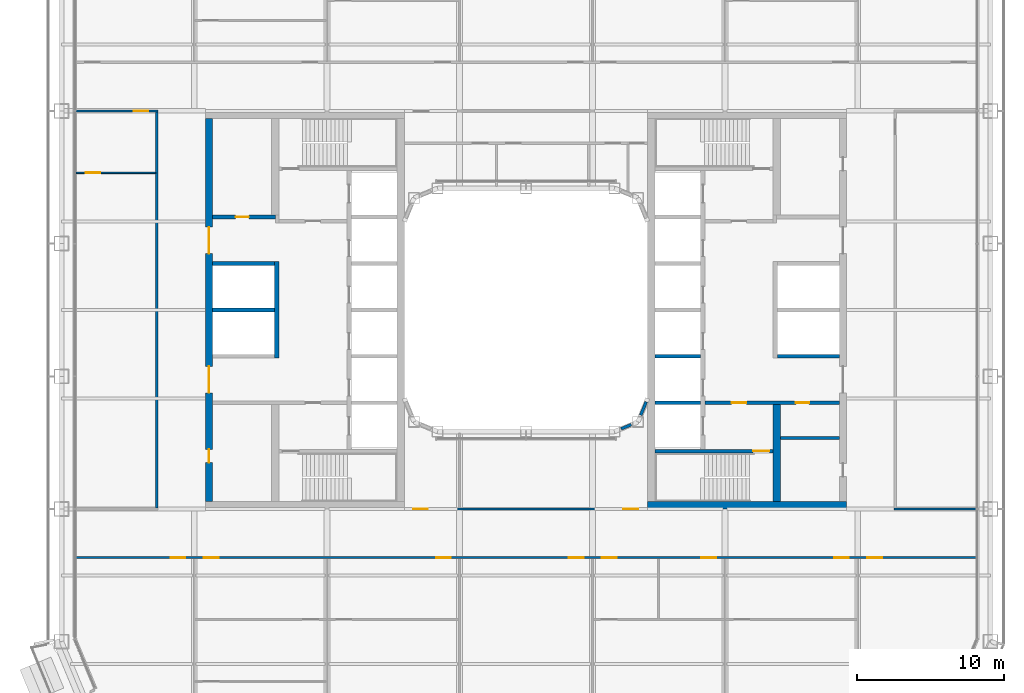
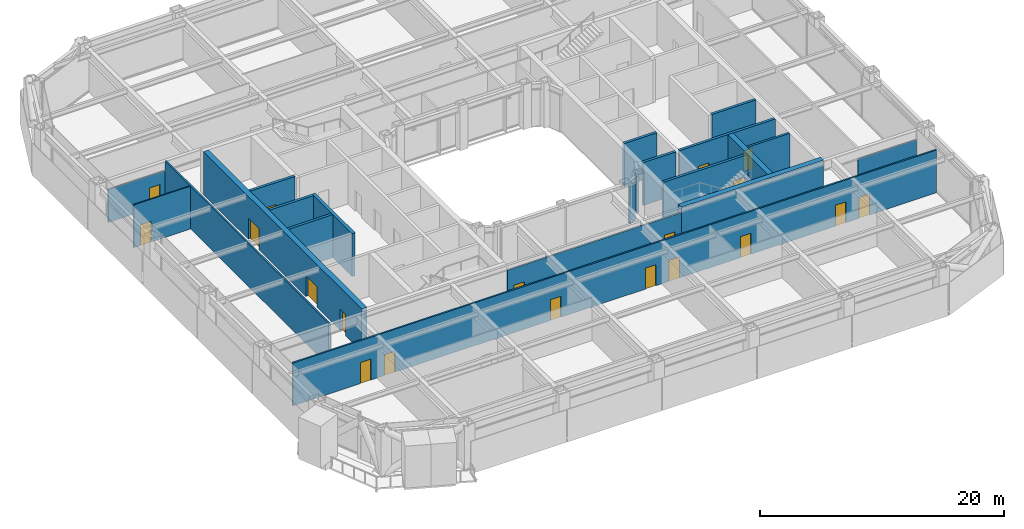
# One storey, part 14 of 27: 21 walls, 19 doors, 19 openings.
"""IFC4 building model written with IfcOpenShell, lengths in metres."""

from ifc_helpers import new_model, si_unit, direction, frame, frame_2d, origin, place, context, subcontext, project, spatial, rectangle, extrude, material, layer, layer_set, type_object, element, fill, save


model = new_model("IFC4")

# Units and contexts
model_context = context("Model", 3, precision=1e-05, world=origin(), true_north=direction((0.0, 1.0)))
body_context = subcontext(model_context, "Body", "Model", "MODEL_VIEW")
ifc_project = project(units=[si_unit("LENGTHUNIT", "METRE"), si_unit("AREAUNIT", "SQUARE_METRE"), si_unit("VOLUMEUNIT", "CUBIC_METRE"), si_unit("PLANEANGLEUNIT", "RADIAN"), si_unit("MASSUNIT", "GRAM", prefix="KILO")], contexts=[model_context])

# Site, building, storey
site_placement = place(None, origin())
site = spatial("IfcSite", under=ifc_project, at=site_placement, CompositionType="ELEMENT")
building_placement = place(site_placement, origin())
building = spatial("IfcBuilding", under=site, at=building_placement, Name="Siwar Civic Tower", CompositionType="ELEMENT")
storey_placement = place(building_placement, frame((0.0, 0.0, 89.699951171875)))
storey = spatial("IfcBuildingStorey", under=building, at=storey_placement, Name="L19", CompositionType="ELEMENT", Elevation=89.699951171875)

# Wall
ifc_material_1 = material(Name="Gypsum board on steel studs", Category="steel")
ifc_layer_1 = layer(ifc_material_1, 0.199951171875)
ifc_layer_set_1 = layer_set([ifc_layer_1], Name="Gypsum board on steel studs")
wall_type_1 = type_object("IfcWallType", Name="CORE-PARTITION-200", PredefinedType="PARTITIONING", material=ifc_layer_set_1)
wall_1_placement = place(storey_placement, frame((17.25, -8.699951171875, 0.0), z_axis=(0.0, 0.0, 1.0), x_axis=(1.0, 0.0, 0.0)))
element("IfcWall", 1, at=wall_1_placement, inside=storey, type_object=wall_type_1, Name="Core partition E", PredefinedType="PARTITIONING", context=body_context, shape_type="SweptSolid", body=[
    extrude(rectangle(XDim=4.0, YDim=0.199951171875, at=frame_2d((2.0, 0.0))), origin(), (0.0, 0.0, 1.0), 4.300048828125),
])

# Wall, opening, door
ifc_material_2 = material(Name="Concrete C60/75", Category="concrete")
ifc_layer_2 = layer(ifc_material_2, 0.25)
ifc_layer_set_2 = layer_set([ifc_layer_2], Name="Concrete C60/75")
wall_type_2 = type_object("IfcWallType", Name="CORE-WALL-RC250", PredefinedType="SHEAR", material=ifc_layer_set_2)
wall_2_placement = place(storey_placement, frame((-17.0, 6.300048828125, 0.0), z_axis=(0.0, 0.0, 1.0), x_axis=(-1.0, 0.0, 0.0)))
wall_2 = element("IfcWall", 2, at=wall_2_placement, inside=storey, type_object=wall_type_2, Name="Core wall W", PredefinedType="SHEAR", context=body_context, shape_type="SweptSolid", body=[
    extrude(rectangle(XDim=4.25, YDim=0.25, at=frame_2d((2.125, 0.0))), origin(), (0.0, 0.0, 1.0), 4.300048828125),
])
opening_1_placement = place(wall_2_placement, frame((1.800048828125, 0.0, 0.0)))
opening_1 = element("IfcOpeningElement", 3, at=opening_1_placement, cuts=wall_2, Name="Opening L19-CW13", PredefinedType="OPENING", context=body_context, shape_type="SweptSolid", body=[
    extrude(rectangle(XDim=0.89990234375, YDim=2.10009765625, at=frame_2d((0.449951171875, 1.050048828125))), frame((0.0, 0.135009765625, 0.0), z_axis=(0.0, -1.0, 0.0), x_axis=(1.0, 0.0, 0.0)), (0.0, 0.0, 1.0), 0.27001953125),
])
ifc_material_3 = material(Name="Steel door leaf", Category="steel")
door_type_1 = type_object("IfcDoorType", Name="CORE-DOOR-ROOM", OperationType="SINGLE_SWING_LEFT", PredefinedType="DOOR", material=ifc_material_3)
door_1_placement = place(opening_1_placement, origin())
door_1 = element("IfcDoor", 4, at=door_1_placement, inside=storey, type_object=door_type_1, Name="Core room door L19-CW13", OperationType="SINGLE_SWING_LEFT", OverallHeight=2.10009765625, OverallWidth=0.89990234375, PredefinedType="DOOR", context=body_context, shape_type="SweptSolid", body=[
    extrude(rectangle(XDim=0.89990234375, YDim=2.10009765625, at=frame_2d((0.449951171875, 1.050048828125))), frame((0.0, 0.02490234375, 0.0), z_axis=(0.0, -1.0, 0.0), x_axis=(1.0, 0.0, 0.0)), (0.0, 0.0, 1.0), 0.050048828125),
])
fill(opening_1, door_1)

# Walls
for number, where, z_axis, x_axis, name in (
    (5, (-17.050048828125, 0.0, 0.0), (0.0, 0.0, 1.0), (-1.0, 0.0, 0.0), "Core wall W"),
    (6, (-17.050048828125, 3.14990234375, 0.0), (0.0, 0.0, 1.0), (-1.0, 0.0, 0.0), "Core wall W"),
):
    element("IfcWall", number, at=place(storey_placement, frame(where, z_axis=z_axis, x_axis=x_axis)), inside=storey, type_object=wall_type_2, Name=name, PredefinedType="SHEAR", context=body_context, shape_type="SweptSolid", body=[
        extrude(rectangle(XDim=4.199951171875, YDim=0.25, at=frame_2d((2.10009765625, 0.0))), origin(), (0.0, 0.0, 1.0), 4.300048828125),
    ])

# Wall, openings, doors
wall_3_placement = place(storey_placement, frame((12.14990234375, -6.300048828125, 0.0), z_axis=(0.0, 0.0, 1.0), x_axis=(1.0, 0.0, 0.0)))
wall_3 = element("IfcWall", 7, at=wall_3_placement, inside=storey, type_object=wall_type_2, Name="Core wall E", PredefinedType="SHEAR", context=body_context, shape_type="SweptSolid", body=[
    extrude(rectangle(XDim=9.10009765625, YDim=0.25, at=frame_2d((4.550048828125, 0.0))), origin(), (0.0, 0.0, 1.0), 4.300048828125),
])
opening_2_placement = place(wall_3_placement, frame((1.800048828125, 0.0, 0.0)))
opening_2 = element("IfcOpeningElement", 8, at=opening_2_placement, cuts=wall_3, Name="Opening L19-CE02", PredefinedType="OPENING", context=body_context, shape_type="SweptSolid", body=[
    extrude(rectangle(XDim=1.0, YDim=2.10009765625, at=frame_2d((0.5, 1.050048828125))), frame((0.0, 0.135009765625, 0.0), z_axis=(0.0, -1.0, 0.0), x_axis=(1.0, 0.0, 0.0)), (0.0, 0.0, 1.0), 0.27001953125),
])
opening_3_placement = place(wall_3_placement, frame((6.14990234375, 0.0, 0.0)))
opening_3 = element("IfcOpeningElement", 9, at=opening_3_placement, cuts=wall_3, Name="Opening L19-CE14", PredefinedType="OPENING", context=body_context, shape_type="SweptSolid", body=[
    extrude(rectangle(XDim=0.89990234375, YDim=2.10009765625, at=frame_2d((0.449951171875, 1.050048828125))), frame((0.0, 0.135009765625, 0.0), z_axis=(0.0, -1.0, 0.0), x_axis=(1.0, 0.0, 0.0)), (0.0, 0.0, 1.0), 0.27001953125),
])
ifc_material_4 = material(Name="Steel door leaf", Category="steel")
door_type_2 = type_object("IfcDoorType", Name="CORE-DOOR-FD30S", OperationType="SINGLE_SWING_LEFT", PredefinedType="DOOR", material=ifc_material_4)
door_2_placement = place(opening_2_placement, origin())
door_2 = element("IfcDoor", 10, at=door_2_placement, inside=storey, type_object=door_type_2, Name="Service lobby door L19-CE02", OperationType="SINGLE_SWING_LEFT", OverallHeight=2.10009765625, OverallWidth=1.0, PredefinedType="DOOR", context=body_context, shape_type="SweptSolid", body=[
    extrude(rectangle(XDim=1.0, YDim=2.10009765625, at=frame_2d((0.5, 1.050048828125))), frame((0.0, 0.02490234375, 0.0), z_axis=(0.0, -1.0, 0.0), x_axis=(1.0, 0.0, 0.0)), (0.0, 0.0, 1.0), 0.050048828125),
])
fill(opening_2, door_2)
door_3_placement = place(opening_3_placement, origin())
door_3 = element("IfcDoor", 11, at=door_3_placement, inside=storey, type_object=door_type_1, Name="Core room door L19-CE14", OperationType="SINGLE_SWING_LEFT", OverallHeight=2.10009765625, OverallWidth=0.89990234375, PredefinedType="DOOR", context=body_context, shape_type="SweptSolid", body=[
    extrude(rectangle(XDim=0.89990234375, YDim=2.10009765625, at=frame_2d((0.449951171875, 1.050048828125))), frame((0.0, 0.02490234375, 0.0), z_axis=(0.0, -1.0, 0.0), x_axis=(1.0, 0.0, 0.0)), (0.0, 0.0, 1.0), 0.050048828125),
])
fill(opening_3, door_3)

# Walls
wall_4_placement = place(storey_placement, frame((17.050048828125, -3.14990234375, 0.0), z_axis=(0.0, 0.0, 1.0), x_axis=(1.0, 0.0, 0.0)))
element("IfcWall", 12, at=wall_4_placement, inside=storey, type_object=wall_type_2, Name="Core wall E", PredefinedType="SHEAR", context=body_context, shape_type="SweptSolid", body=[
    extrude(rectangle(XDim=4.199951171875, YDim=0.25, at=frame_2d((2.10009765625, 0.0))), origin(), (0.0, 0.0, 1.0), 4.300048828125),
])
for number, where, z_axis, x_axis, name in (
    (13, (8.75, -3.14990234375, 0.0), (0.0, 0.0, 1.0), (1.0, 0.0, 0.0), "Core wall E"),
    (14, (8.75, -6.300048828125, 0.0), (0.0, 0.0, 1.0), (1.0, 0.0, 0.0), "Core wall E"),
):
    element("IfcWall", number, at=place(storey_placement, frame(where, z_axis=z_axis, x_axis=x_axis)), inside=storey, type_object=wall_type_2, Name=name, PredefinedType="SHEAR", context=body_context, shape_type="SweptSolid", body=[
        extrude(rectangle(XDim=3.10009765625, YDim=0.25, at=frame_2d((1.550048828125, 0.0))), origin(), (0.0, 0.0, 1.0), 4.300048828125),
    ])

# Wall, opening, door
wall_5_placement = place(storey_placement, frame((8.75, -9.574951171875, 0.0), z_axis=(0.0, 0.0, 1.0), x_axis=(1.0, 0.0, 0.0)))
wall_5 = element("IfcWall", 15, at=wall_5_placement, inside=storey, type_object=wall_type_2, Name="Core wall E", PredefinedType="SHEAR", context=body_context, shape_type="SweptSolid", body=[
    extrude(rectangle(XDim=8.0, YDim=0.25, at=frame_2d((4.0, 0.0))), origin(), (0.0, 0.0, 1.0), 4.300048828125),
])
opening_4_placement = place(wall_5_placement, frame((6.64990234375, 0.0, 0.0)))
opening_4 = element("IfcOpeningElement", 16, at=opening_4_placement, cuts=wall_5, Name="Opening L19-CE04", PredefinedType="OPENING", context=body_context, shape_type="SweptSolid", body=[
    extrude(rectangle(XDim=1.10009765625, YDim=2.10009765625, at=frame_2d((0.550048828125, 1.050048828125))), frame((0.0, 0.135009765625, 0.0), z_axis=(0.0, -1.0, 0.0), x_axis=(1.0, 0.0, 0.0)), (0.0, 0.0, 1.0), 0.27001953125),
])
ifc_material_5 = material(Name="Steel door leaf", Category="steel")
door_type_3 = type_object("IfcDoorType", Name="CORE-DOOR-FD60S", OperationType="SINGLE_SWING_LEFT", PredefinedType="DOOR", material=ifc_material_5)
door_4_placement = place(opening_4_placement, origin())
door_4 = element("IfcDoor", 17, at=door_4_placement, inside=storey, type_object=door_type_3, Name="Stair door L19-CE04", OperationType="SINGLE_SWING_RIGHT", OverallHeight=2.10009765625, OverallWidth=1.10009765625, PredefinedType="DOOR", context=body_context, shape_type="SweptSolid", body=[
    extrude(rectangle(XDim=1.10009765625, YDim=2.10009765625, at=frame_2d((0.550048828125, 1.050048828125))), frame((0.0, 0.02490234375, 0.0), z_axis=(0.0, -1.0, 0.0), x_axis=(1.0, 0.0, 0.0)), (0.0, 0.0, 1.0), 0.050048828125),
])
fill(opening_4, door_4)

# Wall
ifc_material_6 = material(Name="Concrete C60/75", Category="concrete")
ifc_layer_3 = layer(ifc_material_6, 0.300048828125)
ifc_layer_set_3 = layer_set([ifc_layer_3], Name="Concrete C60/75")
wall_type_3 = type_object("IfcWallType", Name="CORE-WALL-RC300", PredefinedType="SHEAR", material=ifc_layer_set_3)
wall_6_placement = place(storey_placement, frame((-16.89990234375, -3.27490234375, 0.0), z_axis=(0.0, 0.0, 1.0), x_axis=(0.0, 1.0, 0.0)))
element("IfcWall", 18, at=wall_6_placement, inside=storey, type_object=wall_type_3, Name="Core wall W", PredefinedType="SHEAR", context=body_context, shape_type="SweptSolid", body=[
    extrude(rectangle(XDim=6.5498046875, YDim=0.300048828125, at=frame_2d((3.27490234375, 0.0))), origin(), (0.0, 0.0, 1.0), 4.300048828125),
])

# Wall, openings, doors
ifc_material_7 = material(Name="Concrete C60/75", Category="concrete")
ifc_layer_4 = layer(ifc_material_7, 0.5)
ifc_layer_set_4 = layer_set([ifc_layer_4], Name="Concrete C60/75")
wall_type_4 = type_object("IfcWallType", Name="CORE-WALL-RC500", PredefinedType="SHEAR", material=ifc_layer_set_4)
wall_7_placement = place(storey_placement, frame((-21.5, -13.0, 0.0), z_axis=(0.0, 0.0, 1.0), x_axis=(0.0, 1.0, 0.0)))
wall_7 = element("IfcWall", 19, at=wall_7_placement, inside=storey, type_object=wall_type_4, Name="Core wall W", PredefinedType="SHEAR", context=body_context, shape_type="SweptSolid", body=[
    extrude(rectangle(XDim=26.0, YDim=0.5, at=frame_2d((13.0, 0.0))), origin(), (0.0, 0.0, 1.0), 4.300048828125),
])
opening_5_placement = place(wall_7_placement, frame((16.824951171875, 0.0, 0.0)))
opening_5 = element("IfcOpeningElement", 20, at=opening_5_placement, cuts=wall_7, Name="Opening L19-CW05", PredefinedType="OPENING", context=body_context, shape_type="SweptSolid", body=[
    extrude(rectangle(XDim=1.800048828125, YDim=2.10009765625, at=frame_2d((0.89990234375, 1.050048828125))), frame((0.0, 0.260009765625, 0.0), z_axis=(0.0, -1.0, 0.0), x_axis=(1.0, 0.0, 0.0)), (0.0, 0.0, 1.0), 0.52001953125),
])
opening_6_placement = place(wall_7_placement, frame((7.375, 0.0, 0.0)))
opening_6 = element("IfcOpeningElement", 21, at=opening_6_placement, cuts=wall_7, Name="Opening L19-CW06", PredefinedType="OPENING", context=body_context, shape_type="SweptSolid", body=[
    extrude(rectangle(XDim=1.800048828125, YDim=2.10009765625, at=frame_2d((0.89990234375, 1.050048828125))), frame((0.0, 0.260009765625, 0.0), z_axis=(0.0, -1.0, 0.0), x_axis=(1.0, 0.0, 0.0)), (0.0, 0.0, 1.0), 0.52001953125),
])
opening_7_placement = place(wall_7_placement, frame((2.64990234375, 0.0, 0.0)))
opening_7 = element("IfcOpeningElement", 22, at=opening_7_placement, cuts=wall_7, Name="Opening L19-CW14", PredefinedType="OPENING", context=body_context, shape_type="SweptSolid", body=[
    extrude(rectangle(XDim=0.89990234375, YDim=2.10009765625, at=frame_2d((0.449951171875, 1.050048828125))), frame((0.0, 0.260009765625, 0.0), z_axis=(0.0, -1.0, 0.0), x_axis=(1.0, 0.0, 0.0)), (0.0, 0.0, 1.0), 0.52001953125),
])
ifc_material_8 = material(Name="Steel door leaf", Category="steel")
door_type_4 = type_object("IfcDoorType", Name="CORE-DOOR-PORT", OperationType="DOUBLE_DOOR_DOUBLE_SWING", PredefinedType="DOOR", material=ifc_material_8)
door_5_placement = place(opening_5_placement, origin())
door_5 = element("IfcDoor", 23, at=door_5_placement, inside=storey, type_object=door_type_4, Name="Core entrance door L19-CW05", OperationType="DOUBLE_DOOR_DOUBLE_SWING", OverallHeight=2.10009765625, OverallWidth=1.800048828125, PredefinedType="DOOR", context=body_context, shape_type="SweptSolid", body=[
    extrude(rectangle(XDim=1.800048828125, YDim=2.10009765625, at=frame_2d((0.89990234375, 1.050048828125))), frame((0.0, 0.02490234375, 0.0), z_axis=(0.0, -1.0, 0.0), x_axis=(1.0, 0.0, 0.0)), (0.0, 0.0, 1.0), 0.050048828125),
])
fill(opening_5, door_5)
door_6_placement = place(opening_6_placement, origin())
door_6 = element("IfcDoor", 24, at=door_6_placement, inside=storey, type_object=door_type_4, Name="Core entrance door L19-CW06", OperationType="DOUBLE_DOOR_DOUBLE_SWING", OverallHeight=2.10009765625, OverallWidth=1.800048828125, PredefinedType="DOOR", context=body_context, shape_type="SweptSolid", body=[
    extrude(rectangle(XDim=1.800048828125, YDim=2.10009765625, at=frame_2d((0.89990234375, 1.050048828125))), frame((0.0, 0.02490234375, 0.0), z_axis=(0.0, -1.0, 0.0), x_axis=(1.0, 0.0, 0.0)), (0.0, 0.0, 1.0), 0.050048828125),
])
fill(opening_6, door_6)
door_7_placement = place(opening_7_placement, origin())
door_7 = element("IfcDoor", 25, at=door_7_placement, inside=storey, type_object=door_type_1, Name="Core room door L19-CW14", OperationType="SINGLE_SWING_LEFT", OverallHeight=2.10009765625, OverallWidth=0.89990234375, PredefinedType="DOOR", context=body_context, shape_type="SweptSolid", body=[
    extrude(rectangle(XDim=0.89990234375, YDim=2.10009765625, at=frame_2d((0.449951171875, 1.050048828125))), frame((0.0, 0.02490234375, 0.0), z_axis=(0.0, -1.0, 0.0), x_axis=(1.0, 0.0, 0.0)), (0.0, 0.0, 1.0), 0.050048828125),
])
fill(opening_7, door_7)

# Walls
wall_8_placement = place(storey_placement, frame((17.0, -13.0, 0.0), z_axis=(0.0, 0.0, 1.0), x_axis=(0.0, 1.0, 0.0)))
element("IfcWall", 26, at=wall_8_placement, inside=storey, type_object=wall_type_4, Name="Core wall E", PredefinedType="SHEAR", context=body_context, shape_type="SweptSolid", body=[
    extrude(rectangle(XDim=6.574951171875, YDim=0.5, at=frame_2d((3.28759765625, 0.0))), origin(), (0.0, 0.0, 1.0), 4.300048828125),
])
wall_9_placement = place(storey_placement, frame((8.25, -13.25, 0.0), z_axis=(0.0, 0.0, 1.0), x_axis=(1.0, 0.0, 0.0)))
element("IfcWall", 27, at=wall_9_placement, inside=storey, type_object=wall_type_4, Name="Core wall E", PredefinedType="SHEAR", context=body_context, shape_type="SweptSolid", body=[
    extrude(rectangle(XDim=13.5, YDim=0.5, at=frame_2d((6.75, 0.0))), origin(), (0.0, 0.0, 1.0), 4.300048828125),
])

# Wall, openings, doors
ifc_material_9 = material(Name="Gypsum board on steel studs", Category="steel")
ifc_layer_5 = layer(ifc_material_9, 0.14990234375)
ifc_layer_set_5 = layer_set([ifc_layer_5], Name="Gypsum board on steel studs")
wall_type_5 = type_object("IfcWallType", Name="CORRIDOR PARTITION 150 EI 30", PredefinedType="PARTITIONING", material=ifc_layer_set_5)
wall_10_placement = place(storey_placement, frame((-30.510009765625, -16.800048828125, 0.0), z_axis=(0.0, 0.0, 1.0), x_axis=(1.0, 0.0, 0.0)))
wall_10 = element("IfcWall", 28, at=wall_10_placement, inside=storey, type_object=wall_type_5, Name="L19/wall/P04", PredefinedType="PARTITIONING", context=body_context, shape_type="SweptSolid", body=[
    extrude(rectangle(XDim=61.02001953125, YDim=0.14990234375, at=frame_2d((30.510009765625, 0.0))), origin(), (0.0, 0.0, 1.0), 4.300048828125),
])
opening_8_placement = place(wall_10_placement, frame((8.659912109375, 0.0, 0.0)))
opening_8 = element("IfcOpeningElement", 29, at=opening_8_placement, cuts=wall_10, Name="Opening D1", PredefinedType="OPENING", context=body_context, shape_type="SweptSolid", body=[
    extrude(rectangle(XDim=1.0, YDim=2.10009765625, at=frame_2d((0.5, 1.050048828125))), frame((0.0, 0.0849609375, 0.0), z_axis=(0.0, -1.0, 0.0), x_axis=(1.0, 0.0, 0.0)), (0.0, 0.0, 1.0), 0.169921875),
])
opening_9_placement = place(wall_10_placement, frame((24.409912109375, 0.0, 0.0)))
opening_9 = element("IfcOpeningElement", 30, at=opening_9_placement, cuts=wall_10, Name="Opening D1", PredefinedType="OPENING", context=body_context, shape_type="SweptSolid", body=[
    extrude(rectangle(XDim=1.0, YDim=2.10009765625, at=frame_2d((0.5, 1.050048828125))), frame((0.0, 0.0849609375, 0.0), z_axis=(0.0, -1.0, 0.0), x_axis=(1.0, 0.0, 0.0)), (0.0, 0.0, 1.0), 0.169921875),
])
opening_10_placement = place(wall_10_placement, frame((33.409912109375, 0.0, 0.0)))
opening_10 = element("IfcOpeningElement", 31, at=opening_10_placement, cuts=wall_10, Name="Opening D1", PredefinedType="OPENING", context=body_context, shape_type="SweptSolid", body=[
    extrude(rectangle(XDim=1.0, YDim=2.10009765625, at=frame_2d((0.5, 1.050048828125))), frame((0.0, 0.0849609375, 0.0), z_axis=(0.0, -1.0, 0.0), x_axis=(1.0, 0.0, 0.0)), (0.0, 0.0, 1.0), 0.169921875),
])
opening_11_placement = place(wall_10_placement, frame((35.659912109375, 0.0, 0.0)))
opening_11 = element("IfcOpeningElement", 32, at=opening_11_placement, cuts=wall_10, Name="Opening D1", PredefinedType="OPENING", context=body_context, shape_type="SweptSolid", body=[
    extrude(rectangle(XDim=1.0, YDim=2.10009765625, at=frame_2d((0.5, 1.050048828125))), frame((0.0, 0.0849609375, 0.0), z_axis=(0.0, -1.0, 0.0), x_axis=(1.0, 0.0, 0.0)), (0.0, 0.0, 1.0), 0.169921875),
])
opening_12_placement = place(wall_10_placement, frame((42.409912109375, 0.0, 0.0)))
opening_12 = element("IfcOpeningElement", 33, at=opening_12_placement, cuts=wall_10, Name="Opening D1", PredefinedType="OPENING", context=body_context, shape_type="SweptSolid", body=[
    extrude(rectangle(XDim=1.0, YDim=2.10009765625, at=frame_2d((0.5, 1.050048828125))), frame((0.0, 0.0849609375, 0.0), z_axis=(0.0, -1.0, 0.0), x_axis=(1.0, 0.0, 0.0)), (0.0, 0.0, 1.0), 0.169921875),
])
opening_13_placement = place(wall_10_placement, frame((51.409912109375, 0.0, 0.0)))
opening_13 = element("IfcOpeningElement", 34, at=opening_13_placement, cuts=wall_10, Name="Opening D1", PredefinedType="OPENING", context=body_context, shape_type="SweptSolid", body=[
    extrude(rectangle(XDim=1.0, YDim=2.10009765625, at=frame_2d((0.5, 1.050048828125))), frame((0.0, 0.0849609375, 0.0), z_axis=(0.0, -1.0, 0.0), x_axis=(1.0, 0.0, 0.0)), (0.0, 0.0, 1.0), 0.169921875),
])
opening_14_placement = place(wall_10_placement, frame((6.39990234375, 0.0, 0.0)))
opening_14 = element("IfcOpeningElement", 35, at=opening_14_placement, cuts=wall_10, Name="Opening D1", PredefinedType="OPENING", context=body_context, shape_type="SweptSolid", body=[
    extrude(rectangle(XDim=1.0, YDim=2.10009765625, at=frame_2d((0.5, 1.050048828125))), frame((0.0, 0.0849609375, 0.0), z_axis=(0.0, -1.0, 0.0), x_axis=(1.0, 0.0, 0.0)), (0.0, 0.0, 1.0), 0.169921875),
])
opening_15_placement = place(wall_10_placement, frame((53.659912109375, 0.0, 0.0)))
opening_15 = element("IfcOpeningElement", 36, at=opening_15_placement, cuts=wall_10, Name="Opening D1", PredefinedType="OPENING", context=body_context, shape_type="SweptSolid", body=[
    extrude(rectangle(XDim=1.0, YDim=2.10009765625, at=frame_2d((0.5, 1.050048828125))), frame((0.0, 0.0849609375, 0.0), z_axis=(0.0, -1.0, 0.0), x_axis=(1.0, 0.0, 0.0)), (0.0, 0.0, 1.0), 0.169921875),
])
ifc_material_10 = material(Name="Timber, painted", Category="wood")
door_type_5 = type_object("IfcDoorType", Name="DOOR 1000 X 2100 FD30", OperationType="SINGLE_SWING_LEFT", PredefinedType="DOOR", material=ifc_material_10)
door_8_placement = place(opening_8_placement, origin())
door_8 = element("IfcDoor", 37, at=door_8_placement, inside=storey, type_object=door_type_5, Name="L19-D09", OperationType="SINGLE_SWING_LEFT", OverallHeight=2.10009765625, OverallWidth=1.0, PredefinedType="DOOR", context=body_context, shape_type="SweptSolid", body=[
    extrude(rectangle(XDim=1.0, YDim=2.10009765625, at=frame_2d((0.5, 1.050048828125))), frame((0.0, 0.02490234375, 0.0), z_axis=(0.0, -1.0, 0.0), x_axis=(1.0, 0.0, 0.0)), (0.0, 0.0, 1.0), 0.050048828125),
])
fill(opening_8, door_8)
door_9_placement = place(opening_9_placement, origin())
door_9 = element("IfcDoor", 38, at=door_9_placement, inside=storey, type_object=door_type_5, Name="L19-D12", OperationType="SINGLE_SWING_RIGHT", OverallHeight=2.10009765625, OverallWidth=1.0, PredefinedType="DOOR", context=body_context, shape_type="SweptSolid", body=[
    extrude(rectangle(XDim=1.0, YDim=2.10009765625, at=frame_2d((0.5, 1.050048828125))), frame((0.0, 0.02490234375, 0.0), z_axis=(0.0, -1.0, 0.0), x_axis=(1.0, 0.0, 0.0)), (0.0, 0.0, 1.0), 0.050048828125),
])
fill(opening_9, door_9)
door_10_placement = place(opening_10_placement, origin())
door_10 = element("IfcDoor", 39, at=door_10_placement, inside=storey, type_object=door_type_5, Name="L19-D14", OperationType="SINGLE_SWING_RIGHT", OverallHeight=2.10009765625, OverallWidth=1.0, PredefinedType="DOOR", context=body_context, shape_type="SweptSolid", body=[
    extrude(rectangle(XDim=1.0, YDim=2.10009765625, at=frame_2d((0.5, 1.050048828125))), frame((0.0, 0.02490234375, 0.0), z_axis=(0.0, -1.0, 0.0), x_axis=(1.0, 0.0, 0.0)), (0.0, 0.0, 1.0), 0.050048828125),
])
fill(opening_10, door_10)
door_11_placement = place(opening_11_placement, origin())
door_11 = element("IfcDoor", 40, at=door_11_placement, inside=storey, type_object=door_type_5, Name="L19-D15", OperationType="SINGLE_SWING_LEFT", OverallHeight=2.10009765625, OverallWidth=1.0, PredefinedType="DOOR", context=body_context, shape_type="SweptSolid", body=[
    extrude(rectangle(XDim=1.0, YDim=2.10009765625, at=frame_2d((0.5, 1.050048828125))), frame((0.0, 0.02490234375, 0.0), z_axis=(0.0, -1.0, 0.0), x_axis=(1.0, 0.0, 0.0)), (0.0, 0.0, 1.0), 0.050048828125),
])
fill(opening_11, door_11)
door_12_placement = place(opening_12_placement, origin())
door_12 = element("IfcDoor", 41, at=door_12_placement, inside=storey, type_object=door_type_5, Name="L19-D16", OperationType="SINGLE_SWING_RIGHT", OverallHeight=2.10009765625, OverallWidth=1.0, PredefinedType="DOOR", context=body_context, shape_type="SweptSolid", body=[
    extrude(rectangle(XDim=1.0, YDim=2.10009765625, at=frame_2d((0.5, 1.050048828125))), frame((0.0, 0.02490234375, 0.0), z_axis=(0.0, -1.0, 0.0), x_axis=(1.0, 0.0, 0.0)), (0.0, 0.0, 1.0), 0.050048828125),
])
fill(opening_12, door_12)
door_13_placement = place(opening_13_placement, origin())
door_13 = element("IfcDoor", 42, at=door_13_placement, inside=storey, type_object=door_type_5, Name="L19-D18", OperationType="SINGLE_SWING_RIGHT", OverallHeight=2.10009765625, OverallWidth=1.0, PredefinedType="DOOR", context=body_context, shape_type="SweptSolid", body=[
    extrude(rectangle(XDim=1.0, YDim=2.10009765625, at=frame_2d((0.5, 1.050048828125))), frame((0.0, 0.02490234375, 0.0), z_axis=(0.0, -1.0, 0.0), x_axis=(1.0, 0.0, 0.0)), (0.0, 0.0, 1.0), 0.050048828125),
])
fill(opening_13, door_13)
door_14_placement = place(opening_14_placement, origin())
door_14 = element("IfcDoor", 43, at=door_14_placement, inside=storey, type_object=door_type_5, Name="L19-D22", OperationType="SINGLE_SWING_RIGHT", OverallHeight=2.10009765625, OverallWidth=1.0, PredefinedType="DOOR", context=body_context, shape_type="SweptSolid", body=[
    extrude(rectangle(XDim=1.0, YDim=2.10009765625, at=frame_2d((0.5, 1.050048828125))), frame((0.0, 0.02490234375, 0.0), z_axis=(0.0, -1.0, 0.0), x_axis=(1.0, 0.0, 0.0)), (0.0, 0.0, 1.0), 0.050048828125),
])
fill(opening_14, door_14)
door_15_placement = place(opening_15_placement, origin())
door_15 = element("IfcDoor", 44, at=door_15_placement, inside=storey, type_object=door_type_5, Name="L19-D23", OperationType="SINGLE_SWING_LEFT", OverallHeight=2.10009765625, OverallWidth=1.0, PredefinedType="DOOR", context=body_context, shape_type="SweptSolid", body=[
    extrude(rectangle(XDim=1.0, YDim=2.10009765625, at=frame_2d((0.5, 1.050048828125))), frame((0.0, 0.02490234375, 0.0), z_axis=(0.0, -1.0, 0.0), x_axis=(1.0, 0.0, 0.0)), (0.0, 0.0, 1.0), 0.050048828125),
])
fill(opening_15, door_15)

wall_11_placement = place(storey_placement, frame((-8.25, -13.5, 0.0), z_axis=(0.0, 0.0, 1.0), x_axis=(1.0, 0.0, 0.0)))
wall_11 = element("IfcWall", 45, at=wall_11_placement, inside=storey, type_object=wall_type_5, Name="L19/wall/P06", PredefinedType="PARTITIONING", context=body_context, shape_type="SweptSolid", body=[
    extrude(rectangle(XDim=16.5, YDim=0.14990234375, at=frame_2d((8.25, 0.0))), origin(), (0.0, 0.0, 1.0), 3.800048828125),
])
opening_16_placement = place(wall_11_placement, frame((0.60009765625, 0.0, 0.0)))
opening_16 = element("IfcOpeningElement", 46, at=opening_16_placement, cuts=wall_11, Name="Opening D1", PredefinedType="OPENING", context=body_context, shape_type="SweptSolid", body=[
    extrude(rectangle(XDim=1.0, YDim=2.10009765625, at=frame_2d((0.5, 1.050048828125))), frame((0.0, 0.0849609375, 0.0), z_axis=(0.0, -1.0, 0.0), x_axis=(1.0, 0.0, 0.0)), (0.0, 0.0, 1.0), 0.169921875),
])
opening_17_placement = place(wall_11_placement, frame((14.85009765625, 0.0, 0.0)))
opening_17 = element("IfcOpeningElement", 47, at=opening_17_placement, cuts=wall_11, Name="Opening D1", PredefinedType="OPENING", context=body_context, shape_type="SweptSolid", body=[
    extrude(rectangle(XDim=1.0, YDim=2.10009765625, at=frame_2d((0.5, 1.050048828125))), frame((0.0, 0.0849609375, 0.0), z_axis=(0.0, -1.0, 0.0), x_axis=(1.0, 0.0, 0.0)), (0.0, 0.0, 1.0), 0.169921875),
])
door_16_placement = place(opening_16_placement, origin())
door_16 = element("IfcDoor", 48, at=door_16_placement, inside=storey, type_object=door_type_5, Name="L19-D32", OperationType="SINGLE_SWING_RIGHT", OverallHeight=2.10009765625, OverallWidth=1.0, PredefinedType="DOOR", context=body_context, shape_type="SweptSolid", body=[
    extrude(rectangle(XDim=1.0, YDim=2.10009765625, at=frame_2d((0.5, 1.050048828125))), frame((0.0, 0.02490234375, 0.0), z_axis=(0.0, -1.0, 0.0), x_axis=(1.0, 0.0, 0.0)), (0.0, 0.0, 1.0), 0.050048828125),
])
fill(opening_16, door_16)
door_17_placement = place(opening_17_placement, origin())
door_17 = element("IfcDoor", 49, at=door_17_placement, inside=storey, type_object=door_type_5, Name="L19-D33", OperationType="SINGLE_SWING_LEFT", OverallHeight=2.10009765625, OverallWidth=1.0, PredefinedType="DOOR", context=body_context, shape_type="SweptSolid", body=[
    extrude(rectangle(XDim=1.0, YDim=2.10009765625, at=frame_2d((0.5, 1.050048828125))), frame((0.0, 0.02490234375, 0.0), z_axis=(0.0, -1.0, 0.0), x_axis=(1.0, 0.0, 0.0)), (0.0, 0.0, 1.0), 0.050048828125),
])
fill(opening_17, door_17)

# Wall
wall_12_placement = place(storey_placement, frame((24.97509765625, -13.5, 0.0), z_axis=(0.0, 0.0, 1.0), x_axis=(1.0, 0.0, 0.0)))
element("IfcWall", 50, at=wall_12_placement, inside=storey, type_object=wall_type_5, Name="L19/wall/P07", PredefinedType="PARTITIONING", context=body_context, shape_type="SweptSolid", body=[
    extrude(rectangle(XDim=5.534912109375, YDim=0.14990234375, at=frame_2d((2.767578125, 0.0))), origin(), (0.0, 0.0, 1.0), 3.300048828125),
])

# Wall, opening, door
wall_13_placement = place(storey_placement, frame((-30.510009765625, 13.5, 0.0), z_axis=(0.0, 0.0, 1.0), x_axis=(1.0, 0.0, 0.0)))
wall_13 = element("IfcWall", 51, at=wall_13_placement, inside=storey, type_object=wall_type_5, Name="L19/wall/P11", PredefinedType="PARTITIONING", context=body_context, shape_type="SweptSolid", body=[
    extrude(rectangle(XDim=5.534912109375, YDim=0.14990234375, at=frame_2d((2.767578125, 0.0))), origin(), (0.0, 0.0, 1.0), 3.300048828125),
])
opening_18_placement = place(wall_13_placement, frame((3.89990234375, 0.0, 0.0)))
opening_18 = element("IfcOpeningElement", 52, at=opening_18_placement, cuts=wall_13, Name="Opening D1", PredefinedType="OPENING", context=body_context, shape_type="SweptSolid", body=[
    extrude(rectangle(XDim=1.0, YDim=2.10009765625, at=frame_2d((0.5, 1.050048828125))), frame((0.0, 0.0849609375, 0.0), z_axis=(0.0, -1.0, 0.0), x_axis=(1.0, 0.0, 0.0)), (0.0, 0.0, 1.0), 0.169921875),
])
door_18_placement = place(opening_18_placement, origin())
door_18 = element("IfcDoor", 53, at=door_18_placement, inside=storey, type_object=door_type_5, Name="L19-D24", OperationType="SINGLE_SWING_RIGHT", OverallHeight=2.10009765625, OverallWidth=1.0, PredefinedType="DOOR", context=body_context, shape_type="SweptSolid", body=[
    extrude(rectangle(XDim=1.0, YDim=2.10009765625, at=frame_2d((0.5, 1.050048828125))), frame((0.0, 0.02490234375, 0.0), z_axis=(0.0, -1.0, 0.0), x_axis=(1.0, 0.0, 0.0)), (0.0, 0.0, 1.0), 0.050048828125),
])
fill(opening_18, door_18)

# Walls
wall_14_placement = place(storey_placement, frame((-25.050048828125, -13.425048828125, 0.0), z_axis=(0.0, 0.0, 1.0), x_axis=(0.0, 1.0, 0.0)))
element("IfcWall", 54, at=wall_14_placement, inside=storey, type_object=wall_type_5, Name="L19/wall/P18", PredefinedType="PARTITIONING", context=body_context, shape_type="SweptSolid", body=[
    extrude(rectangle(XDim=26.85009765625, YDim=0.14990234375, at=frame_2d((13.425048828125, 0.0))), origin(), (0.0, 0.0, 1.0), 4.300048828125),
])
ifc_material_11 = material(Name="Aluminium clad insulated panel", Category="aluminium")
ifc_layer_6 = layer(ifc_material_11, 0.199951171875)
ifc_layer_set_6 = layer_set([ifc_layer_6], Name="Aluminium clad insulated panel")
wall_type_6 = type_object("IfcWallType", Name="ENV-WALL-WELL", PredefinedType="STANDARD", material=ifc_layer_set_6)
wall_15_placement = place(storey_placement, frame((6.45263671875, -8.0625, 0.0), z_axis=(0.0, 0.0, 1.0), x_axis=(0.923940677943, 0.382535780864, 0.0)))
element("IfcWall", 55, at=wall_15_placement, inside=storey, type_object=wall_type_6, Name="Light well corner wall SE1", PredefinedType="STANDARD", context=body_context, shape_type="SweptSolid", body=[
    extrude(rectangle(XDim=0.7421875, YDim=0.199951171875, at=frame_2d((0.37109375, 0.0))), origin(), (0.0, 0.0, 1.0), 3.679931640625),
])
wall_16_placement = place(storey_placement, frame((7.778564453125, -7.138427734375, 0.0), z_axis=(0.0, 0.0, 1.0), x_axis=(0.382549378284, 0.923935048136, 0.0)))
element("IfcWall", 56, at=wall_16_placement, inside=storey, type_object=wall_type_6, Name="Light well corner wall SE2", PredefinedType="STANDARD", context=body_context, shape_type="SweptSolid", body=[
    extrude(rectangle(XDim=0.982177734375, YDim=0.199951171875, at=frame_2d((0.4912109375, 0.0))), origin(), (0.0, 0.0, 1.0), 3.679931640625),
])

# Wall, opening, door
ifc_material_12 = material(Name="Gypsum board on steel studs", Category="steel")
ifc_layer_7 = layer(ifc_material_12, 0.10009765625)
ifc_layer_set_7 = layer_set([ifc_layer_7], Name="Gypsum board on steel studs")
wall_type_7 = type_object("IfcWallType", Name="PARTITION 100 GYPSUM", PredefinedType="PARTITIONING", material=ifc_layer_set_7)
wall_17_placement = place(storey_placement, frame((-30.510009765625, 9.300048828125, 0.0), z_axis=(0.0, 0.0, 1.0), x_axis=(1.0, 0.0, 0.0)))
wall_17 = element("IfcWall", 57, at=wall_17_placement, inside=storey, type_object=wall_type_7, Name="L19/wall/P08", PredefinedType="PARTITIONING", context=body_context, shape_type="SweptSolid", body=[
    extrude(rectangle(XDim=5.385009765625, YDim=0.10009765625, at=frame_2d((2.6923828125, 0.0))), origin(), (0.0, 0.0, 1.0), 4.300048828125),
])
opening_19_placement = place(wall_17_placement, frame((0.64990234375, 0.0, 0.0)))
opening_19 = element("IfcOpeningElement", 58, at=opening_19_placement, cuts=wall_17, Name="Opening D2", PredefinedType="OPENING", context=body_context, shape_type="SweptSolid", body=[
    extrude(rectangle(XDim=1.0, YDim=2.10009765625, at=frame_2d((0.5, 1.050048828125))), frame((0.0, 0.06005859375, 0.0), z_axis=(0.0, -1.0, 0.0), x_axis=(1.0, 0.0, 0.0)), (0.0, 0.0, 1.0), 0.1201171875),
])
ifc_material_13 = material(Name="Timber, painted", Category="wood")
door_type_6 = type_object("IfcDoorType", Name="DOOR 1000 X 2100", OperationType="SINGLE_SWING_LEFT", PredefinedType="DOOR", material=ifc_material_13)
door_19_placement = place(opening_19_placement, origin())
door_19 = element("IfcDoor", 59, at=door_19_placement, inside=storey, type_object=door_type_6, Name="L19-D25", OperationType="SINGLE_SWING_LEFT", OverallHeight=2.10009765625, OverallWidth=1.0, PredefinedType="DOOR", context=body_context, shape_type="SweptSolid", body=[
    extrude(rectangle(XDim=1.0, YDim=2.10009765625, at=frame_2d((0.5, 1.050048828125))), frame((0.0, 0.02490234375, 0.0), z_axis=(0.0, -1.0, 0.0), x_axis=(1.0, 0.0, 0.0)), (0.0, 0.0, 1.0), 0.050048828125),
])
fill(opening_19, door_19)

save(model, "model.ifc")
